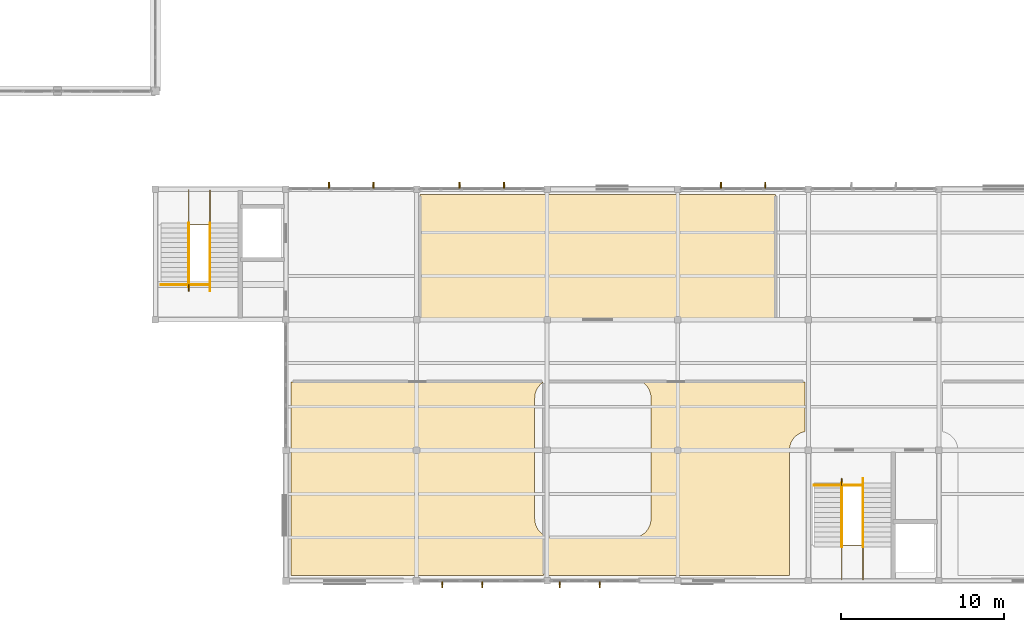
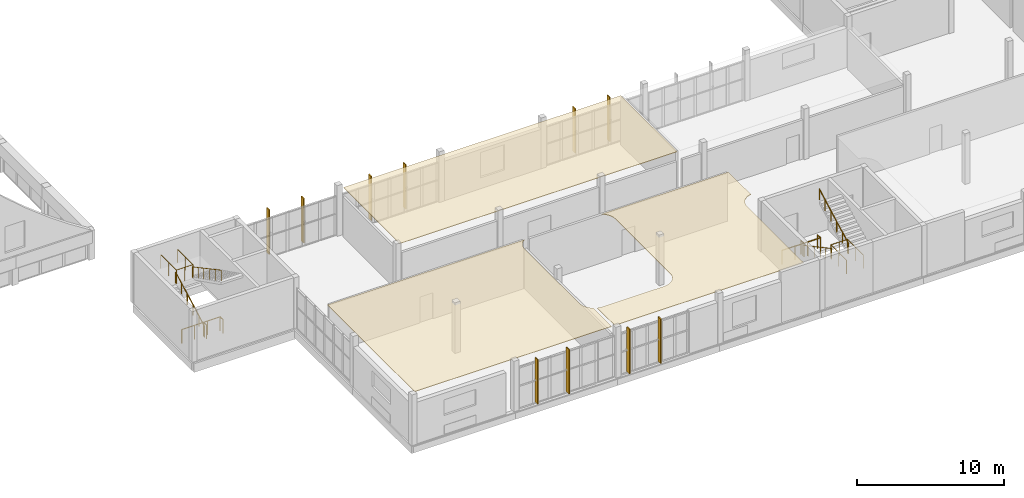
# One storey, part 43 of 45: 10 railings, 10 shading devices, 3 coverings.
"""IFC4 building model written with IfcOpenShell, lengths in metres."""

from ifc_helpers import new_model, si_unit, direction, frame, origin, origin_2d, place, context, subcontext, project, spatial, polyline, rectangle, circle, outline, extrude, material, layer, layer_set, type_object, element, save


model = new_model("IFC4")

# Units and contexts
model_context = context("Model", 3, precision=1e-05, world=origin(), true_north=direction((0.0, 1.0)))
body_context = subcontext(model_context, "Body", "Model", "MODEL_VIEW")
ifc_project = project(units=[si_unit("LENGTHUNIT", "METRE"), si_unit("AREAUNIT", "SQUARE_METRE"), si_unit("VOLUMEUNIT", "CUBIC_METRE"), si_unit("PLANEANGLEUNIT", "RADIAN"), si_unit("MASSUNIT", "GRAM", prefix="KILO")], contexts=[model_context])

# Site, building, storey
site_placement = place(None, origin())
site = spatial("IfcSite", under=ifc_project, at=site_placement, CompositionType="ELEMENT")
building_placement = place(site_placement, origin())
building = spatial("IfcBuilding", under=site, at=building_placement, Name="Solvane Community Centre", CompositionType="ELEMENT")
storey_placement = place(building_placement, frame((0.0, 0.0, 13.800048828125)))
storey = spatial("IfcBuildingStorey", under=building, at=storey_placement, Name="L03", CompositionType="ELEMENT", Elevation=13.800048828125)

# Coverings
ifc_material_1 = material(Name="Acoustic timber slat ceiling", Category="wood")
ifc_layer = layer(ifc_material_1, 0.0400390625)
ifc_layer_set = layer_set([ifc_layer], Name="Acoustic timber slat ceiling")
covering_type = type_object("IfcCoveringType", Name="Acoustic Timber Slat Suspended Ceiling", PredefinedType="CEILING", material=ifc_layer_set)
covering_1_placement = place(storey_placement, frame((0.0, 0.0, 3.954833984375)))
element("IfcCovering", 1, at=covering_1_placement, inside=storey, type_object=covering_type, Name="Acoustic Ceiling L03-02", PredefinedType="CEILING", context=body_context, shape_type="SweptSolid", body=[
    extrude(outline(polyline([(83.780029296875, 6.320068359375), (68.320068359375, 6.320068359375), (68.320068359375, 18.179931640625), (83.780029296875, 18.179931640625), (83.780029296875, 18.179443359375), (83.71533203125, 18.13623046875), (83.702880859375, 18.126953125), (83.626953125, 18.064697265625), (83.615234375, 18.05419921875), (83.5458984375, 17.984619140625), (83.535400390625, 17.97314453125), (83.47314453125, 17.897216796875), (83.4638671875, 17.884521484375), (83.4091796875, 17.802978515625), (83.401123046875, 17.78955078125), (83.35498046875, 17.702880859375), (83.34814453125, 17.688720703125), (83.310546875, 17.59814453125), (83.305419921875, 17.583251953125), (83.27685546875, 17.489501953125), (83.27294921875, 17.47412109375), (83.25390625, 17.3779296875), (83.251708984375, 17.3623046875), (83.241943359375, 17.264892578125), (83.2412109375, 17.2490234375), (83.239990234375, 17.199951171875), (83.239990234375, 9.800048828125), (83.2412109375, 9.7509765625), (83.241943359375, 9.735107421875), (83.251708984375, 9.6376953125), (83.25390625, 9.6220703125), (83.27294921875, 9.52587890625), (83.27685546875, 9.510498046875), (83.305419921875, 9.416748046875), (83.310546875, 9.40185546875), (83.34814453125, 9.311279296875), (83.35498046875, 9.297119140625), (83.401123046875, 9.21044921875), (83.4091796875, 9.197021484375), (83.4638671875, 9.115478515625), (83.47314453125, 9.102783203125), (83.535400390625, 9.02685546875), (83.5458984375, 9.015380859375), (83.615234375, 8.94580078125), (83.626953125, 8.935302734375), (83.702880859375, 8.873046875), (83.71533203125, 8.86376953125), (83.780029296875, 8.820556640625), (83.780029296875, 6.320068359375)])), origin(), (0.0, 0.0, 1.0), 0.0400390625),
])
covering_2_placement = place(storey_placement, frame((0.0, 0.0, 3.954833984375)))
element("IfcCovering", 2, at=covering_2_placement, inside=storey, type_object=covering_type, Name="Acoustic Ceiling L03-03", PredefinedType="CEILING", context=body_context, shape_type="SweptSolid", body=[
    extrude(outline(polyline([(99.780029296875, 18.179931640625), (99.780029296875, 15.1376953125), (99.725830078125, 15.126953125), (99.710693359375, 15.123046875), (99.61669921875, 15.0947265625), (99.601806640625, 15.08935546875), (99.51123046875, 15.0517578125), (99.4970703125, 15.045166015625), (99.410400390625, 14.998779296875), (99.39697265625, 14.99072265625), (99.3154296875, 14.936279296875), (99.302734375, 14.927001953125), (99.226806640625, 14.864501953125), (99.21533203125, 14.85400390625), (99.14599609375, 14.78466796875), (99.135498046875, 14.773193359375), (99.072998046875, 14.697265625), (99.063720703125, 14.6845703125), (99.00927734375, 14.60302734375), (99.001220703125, 14.589599609375), (98.954833984375, 14.5029296875), (98.9482421875, 14.48876953125), (98.91064453125, 14.398193359375), (98.9052734375, 14.38330078125), (98.876953125, 14.289306640625), (98.873046875, 14.274169921875), (98.85400390625, 14.177978515625), (98.8515625, 14.162353515625), (98.842041015625, 14.064697265625), (98.84130859375, 14.049072265625), (98.840087890625, 14.0), (98.840087890625, 6.320068359375), (84.02001953125, 6.320068359375), (84.02001953125, 8.704345703125), (84.110595703125, 8.677001953125), (84.125732421875, 8.673095703125), (84.22216796875, 8.65380859375), (84.237548828125, 8.651611328125), (84.335205078125, 8.64208984375), (84.350830078125, 8.64111328125), (84.39990234375, 8.639892578125), (89.199951171875, 8.639892578125), (89.2490234375, 8.64111328125), (89.264892578125, 8.64208984375), (89.3623046875, 8.651611328125), (89.3779296875, 8.65380859375), (89.47412109375, 8.673095703125), (89.489501953125, 8.677001953125), (89.583251953125, 8.705322265625), (89.59814453125, 8.710693359375), (89.688720703125, 8.748291015625), (89.702880859375, 8.7548828125), (89.78955078125, 8.80126953125), (89.802978515625, 8.80908203125), (89.884521484375, 8.86376953125), (89.897216796875, 8.873046875), (89.97314453125, 8.935302734375), (89.984619140625, 8.94580078125), (90.05419921875, 9.015380859375), (90.064697265625, 9.02685546875), (90.126953125, 9.102783203125), (90.13623046875, 9.115478515625), (90.19091796875, 9.197021484375), (90.19873046875, 9.21044921875), (90.2451171875, 9.297119140625), (90.251708984375, 9.311279296875), (90.289306640625, 9.40185546875), (90.294677734375, 9.416748046875), (90.322998046875, 9.510498046875), (90.326904296875, 9.52587890625), (90.34619140625, 9.6220703125), (90.348388671875, 9.6376953125), (90.35791015625, 9.735107421875), (90.35888671875, 9.7509765625), (90.360107421875, 9.800048828125), (90.360107421875, 17.199951171875), (90.35888671875, 17.2490234375), (90.35791015625, 17.264892578125), (90.348388671875, 17.3623046875), (90.34619140625, 17.3779296875), (90.326904296875, 17.47412109375), (90.322998046875, 17.489501953125), (90.294677734375, 17.583251953125), (90.289306640625, 17.59814453125), (90.251708984375, 17.688720703125), (90.2451171875, 17.702880859375), (90.19873046875, 17.78955078125), (90.19091796875, 17.802978515625), (90.13623046875, 17.884521484375), (90.126953125, 17.897216796875), (90.064697265625, 17.97314453125), (90.05419921875, 17.984619140625), (89.984619140625, 18.05419921875), (89.97314453125, 18.064697265625), (89.897216796875, 18.126953125), (89.884521484375, 18.13623046875), (89.819091796875, 18.179931640625), (99.780029296875, 18.179931640625)])), origin(), (0.0, 0.0, 1.0), 0.0400390625),
])
covering_3_placement = place(storey_placement, frame((0.0, 0.0, 3.954833984375)))
element("IfcCovering", 3, at=covering_3_placement, inside=storey, type_object=covering_type, Name="Acoustic Ceiling L03-06", PredefinedType="CEILING", context=body_context, shape_type="SweptSolid", body=[
    extrude(outline(polyline([(76.219970703125, 22.02001953125), (76.219970703125, 29.679931640625), (97.97998046875, 29.679931640625), (97.97998046875, 22.02001953125), (76.219970703125, 22.02001953125)])), origin(), (0.0, 0.0, 1.0), 0.0400390625),
])

# Shading devices
ifc_material_2 = material(Name="Anodised bronze aluminium AW-6063 T6", Category="aluminium")
shading_device_type = type_object("IfcShadingDeviceType", Name="Art Deco Bronze Solar Fin 80x360", PredefinedType="USERDEFINED", material=ifc_material_2)
shading_device_1_placement = place(storey_placement, frame((87.22412109375, 5.760009765625, 0.14990234375), z_axis=(0.0, 0.0, 1.0), x_axis=(-1.0, 0.0, 0.0)))
element("IfcShadingDevice", 4, at=shading_device_1_placement, inside=storey, type_object=shading_device_type, Name="Solar Brise-Soleil Fin 103", ObjectType="Solar Brise-Soleil Fin 103", PredefinedType="USERDEFINED", context=body_context, shape_type="SweptSolid", body=[
    extrude(rectangle(XDim=0.080078125, YDim=0.360107421875, at=origin_2d()), origin(), (0.0, 0.0, 1.0), 3.679931640625),
])
shading_device_2_placement = place(storey_placement, frame((84.77587890625, 5.760009765625, 0.14990234375), z_axis=(0.0, 0.0, 1.0), x_axis=(-1.0, 0.0, 0.0)))
element("IfcShadingDevice", 5, at=shading_device_2_placement, inside=storey, type_object=shading_device_type, Name="Solar Brise-Soleil Fin 104", ObjectType="Solar Brise-Soleil Fin 104", PredefinedType="USERDEFINED", context=body_context, shape_type="SweptSolid", body=[
    extrude(rectangle(XDim=0.080078125, YDim=0.360107421875, at=origin_2d()), origin(), (0.0, 0.0, 1.0), 3.679931640625),
])
shading_device_3_placement = place(storey_placement, frame((80.02392578125, 5.760009765625, 0.14990234375), z_axis=(0.0, 0.0, 1.0), x_axis=(-1.0, 0.0, 0.0)))
element("IfcShadingDevice", 6, at=shading_device_3_placement, inside=storey, type_object=shading_device_type, Name="Solar Brise-Soleil Fin 105", ObjectType="Solar Brise-Soleil Fin 105", PredefinedType="USERDEFINED", context=body_context, shape_type="SweptSolid", body=[
    extrude(rectangle(XDim=0.080078125, YDim=0.360107421875, at=origin_2d()), origin(), (0.0, 0.0, 1.0), 3.679931640625),
])
shading_device_4_placement = place(storey_placement, frame((77.575927734375, 5.760009765625, 0.14990234375), z_axis=(0.0, 0.0, 1.0), x_axis=(-1.0, 0.0, 0.0)))
element("IfcShadingDevice", 7, at=shading_device_4_placement, inside=storey, type_object=shading_device_type, Name="Solar Brise-Soleil Fin 106", ObjectType="Solar Brise-Soleil Fin 106", PredefinedType="USERDEFINED", context=body_context, shape_type="SweptSolid", body=[
    extrude(rectangle(XDim=0.080078125, YDim=0.360107421875, at=origin_2d()), origin(), (0.0, 0.0, 1.0), 3.679931640625),
])
shading_device_5_placement = place(storey_placement, frame((70.639892578125, 30.239990234375, 0.14990234375), z_axis=(0.0, 0.0, 1.0), x_axis=(1.0, 0.0, 0.0)))
element("IfcShadingDevice", 8, at=shading_device_5_placement, inside=storey, type_object=shading_device_type, Name="Solar Brise-Soleil Fin 107", ObjectType="Solar Brise-Soleil Fin 107", PredefinedType="USERDEFINED", context=body_context, shape_type="SweptSolid", body=[
    extrude(rectangle(XDim=0.080078125, YDim=0.360107421875, at=origin_2d()), origin(), (0.0, 0.0, 1.0), 3.679931640625),
])
shading_device_6_placement = place(storey_placement, frame((73.360107421875, 30.239990234375, 0.14990234375), z_axis=(0.0, 0.0, 1.0), x_axis=(1.0, 0.0, 0.0)))
element("IfcShadingDevice", 9, at=shading_device_6_placement, inside=storey, type_object=shading_device_type, Name="Solar Brise-Soleil Fin 108", ObjectType="Solar Brise-Soleil Fin 108", PredefinedType="USERDEFINED", context=body_context, shape_type="SweptSolid", body=[
    extrude(rectangle(XDim=0.080078125, YDim=0.360107421875, at=origin_2d()), origin(), (0.0, 0.0, 1.0), 3.679931640625),
])
shading_device_7_placement = place(storey_placement, frame((78.639892578125, 30.239990234375, 0.14990234375), z_axis=(0.0, 0.0, 1.0), x_axis=(1.0, 0.0, 0.0)))
element("IfcShadingDevice", 10, at=shading_device_7_placement, inside=storey, type_object=shading_device_type, Name="Solar Brise-Soleil Fin 109", ObjectType="Solar Brise-Soleil Fin 109", PredefinedType="USERDEFINED", context=body_context, shape_type="SweptSolid", body=[
    extrude(rectangle(XDim=0.080078125, YDim=0.360107421875, at=origin_2d()), origin(), (0.0, 0.0, 1.0), 3.679931640625),
])
shading_device_8_placement = place(storey_placement, frame((81.360107421875, 30.239990234375, 0.14990234375), z_axis=(0.0, 0.0, 1.0), x_axis=(1.0, 0.0, 0.0)))
element("IfcShadingDevice", 11, at=shading_device_8_placement, inside=storey, type_object=shading_device_type, Name="Solar Brise-Soleil Fin 110", ObjectType="Solar Brise-Soleil Fin 110", PredefinedType="USERDEFINED", context=body_context, shape_type="SweptSolid", body=[
    extrude(rectangle(XDim=0.080078125, YDim=0.360107421875, at=origin_2d()), origin(), (0.0, 0.0, 1.0), 3.679931640625),
])
shading_device_9_placement = place(storey_placement, frame((94.639892578125, 30.239990234375, 0.14990234375), z_axis=(0.0, 0.0, 1.0), x_axis=(1.0, 0.0, 0.0)))
element("IfcShadingDevice", 12, at=shading_device_9_placement, inside=storey, type_object=shading_device_type, Name="Solar Brise-Soleil Fin 111", ObjectType="Solar Brise-Soleil Fin 111", PredefinedType="USERDEFINED", context=body_context, shape_type="SweptSolid", body=[
    extrude(rectangle(XDim=0.080078125, YDim=0.360107421875, at=origin_2d()), origin(), (0.0, 0.0, 1.0), 3.679931640625),
])
shading_device_10_placement = place(storey_placement, frame((97.360107421875, 30.239990234375, 0.14990234375), z_axis=(0.0, 0.0, 1.0), x_axis=(1.0, 0.0, 0.0)))
element("IfcShadingDevice", 13, at=shading_device_10_placement, inside=storey, type_object=shading_device_type, Name="Solar Brise-Soleil Fin 112", ObjectType="Solar Brise-Soleil Fin 112", PredefinedType="USERDEFINED", context=body_context, shape_type="SweptSolid", body=[
    extrude(rectangle(XDim=0.080078125, YDim=0.360107421875, at=origin_2d()), origin(), (0.0, 0.0, 1.0), 3.679931640625),
])

# Railings
railing_type_1 = type_object("IfcRailingType", Name="Interior Gallery & Stair Well Guard 1150mm", PredefinedType="BALUSTRADE", material=ifc_material_2)
railing_1_placement = place(storey_placement, frame((62.050048828125, 29.93994140625, 2.099853515625)))
element("IfcRailing", 14, at=railing_1_placement, inside=storey, type_object=railing_type_1, Name="Railing GR-L03-016", PredefinedType="BALUSTRADE", context=body_context, shape_type="SweptSolid", body=[
    extrude(circle(Radius=0.02392578125, at=origin_2d()), frame((0.0, 0.0, 1.1259765625), z_axis=(0.0, -1.0, 0.0), x_axis=(1.0, 0.0, 0.0)), (0.0, 0.0, 1.0), 2.119873046875),
    extrude(circle(Radius=0.02392578125, at=origin_2d()), frame((0.0, -2.119873046875, 1.1259765625), z_axis=(1.0, 0.0, 0.0), x_axis=(0.0, 1.0, 0.0)), (0.0, 0.0, 1.0), 1.300048828125),
    extrude(circle(Radius=0.02392578125, at=origin_2d()), frame((1.300048828125, -2.119873046875, 1.1259765625), z_axis=(0.0, 1.0, 0.0), x_axis=(-1.0, 0.0, 0.0)), (0.0, 0.0, 1.0), 2.119873046875),
    extrude(circle(Radius=0.02099609375, at=origin_2d()), origin(), (0.0, 0.0, 1.0), 1.101806640625),
    extrude(circle(Radius=0.02099609375, at=origin_2d()), frame((0.0, -1.06005859375, 0.0)), (0.0, 0.0, 1.0), 1.101806640625),
    extrude(circle(Radius=0.02099609375, at=origin_2d()), frame((0.0, -2.119873046875, 0.0)), (0.0, 0.0, 1.0), 1.101806640625),
    extrude(circle(Radius=0.02099609375, at=origin_2d()), frame((0.64990234375, -2.119873046875, 0.0)), (0.0, 0.0, 1.0), 1.101806640625),
    extrude(circle(Radius=0.02099609375, at=origin_2d()), frame((1.300048828125, -2.119873046875, 0.0)), (0.0, 0.0, 1.0), 1.101806640625),
    extrude(circle(Radius=0.02099609375, at=origin_2d()), frame((1.300048828125, -1.06005859375, 0.0)), (0.0, 0.0, 1.0), 1.101806640625),
    extrude(circle(Radius=0.02099609375, at=origin_2d()), frame((1.300048828125, 0.0, 0.0)), (0.0, 0.0, 1.0), 1.101806640625),
])
railing_2_placement = place(storey_placement, frame((60.340087890625, 24.139892578125, 0.0)))
element("IfcRailing", 15, at=railing_2_placement, inside=storey, type_object=railing_type_1, Name="Railing GR-L03-017", PredefinedType="BALUSTRADE", context=body_context, shape_type="SweptSolid", body=[
    extrude(circle(Radius=0.02392578125, at=origin_2d()), frame((0.0, 0.0, 1.1259765625), z_axis=(1.0, 0.0, 0.0), x_axis=(0.0, 1.0, 0.0)), (0.0, 0.0, 1.0), 3.010009765625),
    extrude(circle(Radius=0.02392578125, at=origin_2d()), frame((3.010009765625, 0.0, 1.1259765625), z_axis=(0.0, -1.0, 0.0), x_axis=(1.0, 0.0, 0.0)), (0.0, 0.0, 1.0), 0.389892578125),
    extrude(circle(Radius=0.02099609375, at=origin_2d()), origin(), (0.0, 0.0, 1.0), 1.101806640625),
    extrude(circle(Radius=0.02099609375, at=origin_2d()), frame((1.00341796875, 0.0, 0.0)), (0.0, 0.0, 1.0), 1.101806640625),
    extrude(circle(Radius=0.02099609375, at=origin_2d()), frame((2.006591796875, 0.0, 0.0)), (0.0, 0.0, 1.0), 1.101806640625),
    extrude(circle(Radius=0.02099609375, at=origin_2d()), frame((3.010009765625, 0.0, 0.0)), (0.0, 0.0, 1.0), 1.101806640625),
    extrude(circle(Radius=0.02099609375, at=origin_2d()), frame((3.010009765625, -0.389892578125, 0.0)), (0.0, 0.0, 1.0), 1.101806640625),
])
railing_3_placement = place(storey_placement, frame((62.050048828125, 23.75, 0.0)))
element("IfcRailing", 16, at=railing_3_placement, inside=storey, type_object=railing_type_1, Name="Railing GR-L03-018", PredefinedType="BALUSTRADE", context=body_context, shape_type="SweptSolid", body=[
    extrude(circle(Radius=0.02392578125, at=origin_2d()), frame((0.0, 0.0, 1.1259765625), z_axis=(0.0, 1.0, 0.0), x_axis=(-1.0, 0.0, 0.0)), (0.0, 0.0, 1.0), 0.389892578125),
    extrude(circle(Radius=0.02099609375, at=origin_2d()), origin(), (0.0, 0.0, 1.0), 1.101806640625),
    extrude(circle(Radius=0.02099609375, at=origin_2d()), frame((0.0, 0.389892578125, 0.0)), (0.0, 0.0, 1.0), 1.101806640625),
])
railing_4_placement = place(storey_placement, frame((102.050048828125, 6.06005859375, 2.099853515625)))
element("IfcRailing", 17, at=railing_4_placement, inside=storey, type_object=railing_type_1, Name="Railing GR-L03-035", PredefinedType="BALUSTRADE", context=body_context, shape_type="SweptSolid", body=[
    extrude(circle(Radius=0.02392578125, at=origin_2d()), frame((0.0, 0.0, 1.1259765625), z_axis=(0.0, 1.0, 0.0), x_axis=(-1.0, 0.0, 0.0)), (0.0, 0.0, 1.0), 2.119873046875),
    extrude(circle(Radius=0.02392578125, at=origin_2d()), frame((0.0, 2.119873046875, 1.1259765625), z_axis=(1.0, 0.0, 0.0), x_axis=(0.0, 1.0, 0.0)), (0.0, 0.0, 1.0), 1.300048828125),
    extrude(circle(Radius=0.02392578125, at=origin_2d()), frame((1.300048828125, 2.119873046875, 1.1259765625), z_axis=(0.0, -1.0, 0.0), x_axis=(1.0, 0.0, 0.0)), (0.0, 0.0, 1.0), 2.119873046875),
    extrude(circle(Radius=0.02099609375, at=origin_2d()), origin(), (0.0, 0.0, 1.0), 1.101806640625),
    extrude(circle(Radius=0.02099609375, at=origin_2d()), frame((0.0, 1.06005859375, 0.0)), (0.0, 0.0, 1.0), 1.101806640625),
    extrude(circle(Radius=0.02099609375, at=origin_2d()), frame((0.0, 2.119873046875, 0.0)), (0.0, 0.0, 1.0), 1.101806640625),
    extrude(circle(Radius=0.02099609375, at=origin_2d()), frame((0.64990234375, 2.119873046875, 0.0)), (0.0, 0.0, 1.0), 1.101806640625),
    extrude(circle(Radius=0.02099609375, at=origin_2d()), frame((1.300048828125, 2.119873046875, 0.0)), (0.0, 0.0, 1.0), 1.101806640625),
    extrude(circle(Radius=0.02099609375, at=origin_2d()), frame((1.300048828125, 1.06005859375, 0.0)), (0.0, 0.0, 1.0), 1.101806640625),
    extrude(circle(Radius=0.02099609375, at=origin_2d()), frame((1.300048828125, 0.0, 0.0)), (0.0, 0.0, 1.0), 1.101806640625),
])
railing_5_placement = place(storey_placement, frame((100.340087890625, 11.860107421875, 0.0)))
element("IfcRailing", 18, at=railing_5_placement, inside=storey, type_object=railing_type_1, Name="Railing GR-L03-036", PredefinedType="BALUSTRADE", context=body_context, shape_type="SweptSolid", body=[
    extrude(circle(Radius=0.02392578125, at=origin_2d()), frame((0.0, 0.0, 1.1259765625), z_axis=(1.0, 0.0, 0.0), x_axis=(0.0, 1.0, 0.0)), (0.0, 0.0, 1.0), 3.010009765625),
    extrude(circle(Radius=0.02392578125, at=origin_2d()), frame((3.010009765625, 0.0, 1.1259765625), z_axis=(0.0, 1.0, 0.0), x_axis=(-1.0, 0.0, 0.0)), (0.0, 0.0, 1.0), 0.389892578125),
    extrude(circle(Radius=0.02099609375, at=origin_2d()), origin(), (0.0, 0.0, 1.0), 1.101806640625),
    extrude(circle(Radius=0.02099609375, at=origin_2d()), frame((1.00341796875, 0.0, 0.0)), (0.0, 0.0, 1.0), 1.101806640625),
    extrude(circle(Radius=0.02099609375, at=origin_2d()), frame((2.006591796875, 0.0, 0.0)), (0.0, 0.0, 1.0), 1.101806640625),
    extrude(circle(Radius=0.02099609375, at=origin_2d()), frame((3.010009765625, 0.0, 0.0)), (0.0, 0.0, 1.0), 1.101806640625),
    extrude(circle(Radius=0.02099609375, at=origin_2d()), frame((3.010009765625, 0.389892578125, 0.0)), (0.0, 0.0, 1.0), 1.101806640625),
])
railing_6_placement = place(storey_placement, frame((102.050048828125, 12.25, 0.0)))
element("IfcRailing", 19, at=railing_6_placement, inside=storey, type_object=railing_type_1, Name="Railing GR-L03-037", PredefinedType="BALUSTRADE", context=body_context, shape_type="SweptSolid", body=[
    extrude(circle(Radius=0.02392578125, at=origin_2d()), frame((0.0, 0.0, 1.1259765625), z_axis=(0.0, -1.0, 0.0), x_axis=(1.0, 0.0, 0.0)), (0.0, 0.0, 1.0), 0.389892578125),
    extrude(circle(Radius=0.02099609375, at=origin_2d()), origin(), (0.0, 0.0, 1.0), 1.101806640625),
    extrude(circle(Radius=0.02099609375, at=origin_2d()), frame((0.0, -0.389892578125, 0.0)), (0.0, 0.0, 1.0), 1.101806640625),
])
railing_type_2 = type_object("IfcRailingType", Name="Stair Pitch Handrail 900mm", PredefinedType="HANDRAIL", material=ifc_material_2)
railing_7_placement = place(storey_placement, frame((62.050048828125, 24.0, 0.0)))
element("IfcRailing", 20, at=railing_7_placement, inside=storey, type_object=railing_type_2, Name="Railing HR-L03-014", PredefinedType="HANDRAIL", context=body_context, shape_type="SweptSolid", body=[
    extrude(circle(Radius=0.02392578125, at=origin_2d()), frame((0.0, 0.0, 0.8759765625), z_axis=(0.0, 0.881489763865, 0.472203130232), x_axis=(-1.0, 0.0, 0.0)), (0.0, 0.0, 1.0), 4.447021484375),
    extrude(circle(Radius=0.02099609375, at=origin_2d()), origin(), (0.0, 0.0, 1.0), 0.851806640625),
    extrude(circle(Radius=0.02099609375, at=origin_2d()), frame((0.0, 0.783935546875, 0.419921875)), (0.0, 0.0, 1.0), 0.851806640625),
    extrude(circle(Radius=0.02099609375, at=origin_2d()), frame((0.0, 1.56787109375, 0.83984375)), (0.0, 0.0, 1.0), 0.851806640625),
    extrude(circle(Radius=0.02099609375, at=origin_2d()), frame((0.0, 2.35205078125, 1.260009765625)), (0.0, 0.0, 1.0), 0.851806640625),
    extrude(circle(Radius=0.02099609375, at=origin_2d()), frame((0.0, 3.135986328125, 1.679931640625)), (0.0, 0.0, 1.0), 0.851806640625),
    extrude(circle(Radius=0.02099609375, at=origin_2d()), frame((0.0, 3.919921875, 2.099853515625)), (0.0, 0.0, 1.0), 0.851806640625),
])
railing_8_placement = place(storey_placement, frame((63.35009765625, 27.919921875, 2.099853515625)))
element("IfcRailing", 21, at=railing_8_placement, inside=storey, type_object=railing_type_2, Name="Railing HR-L03-015", PredefinedType="HANDRAIL", context=body_context, shape_type="SweptSolid", body=[
    extrude(circle(Radius=0.02392578125, at=origin_2d()), frame((0.0, 0.0, 0.8759765625), z_axis=(0.0, -0.881466911329, 0.472245787945), x_axis=(1.0, 0.0, 0.0)), (0.0, 0.0, 1.0), 4.447021484375),
    extrude(circle(Radius=0.02099609375, at=origin_2d()), origin(), (0.0, 0.0, 1.0), 0.851806640625),
    extrude(circle(Radius=0.02099609375, at=origin_2d()), frame((0.0, -0.783935546875, 0.419921875)), (0.0, 0.0, 1.0), 0.851806640625),
    extrude(circle(Radius=0.02099609375, at=origin_2d()), frame((0.0, -1.56787109375, 0.840087890625)), (0.0, 0.0, 1.0), 0.851806640625),
    extrude(circle(Radius=0.02099609375, at=origin_2d()), frame((0.0, -2.35205078125, 1.260009765625)), (0.0, 0.0, 1.0), 0.851806640625),
    extrude(circle(Radius=0.02099609375, at=origin_2d()), frame((0.0, -3.135986328125, 1.68017578125)), (0.0, 0.0, 1.0), 0.851806640625),
    extrude(circle(Radius=0.02099609375, at=origin_2d()), frame((0.0, -3.919921875, 2.10009765625)), (0.0, 0.0, 1.0), 0.851806640625),
])
railing_9_placement = place(storey_placement, frame((102.050048828125, 12.0, 0.0)))
element("IfcRailing", 22, at=railing_9_placement, inside=storey, type_object=railing_type_2, Name="Railing HR-L03-033", PredefinedType="HANDRAIL", context=body_context, shape_type="SweptSolid", body=[
    extrude(circle(Radius=0.02392578125, at=origin_2d()), frame((0.0, 0.0, 0.8759765625), z_axis=(0.0, -0.881489763865, 0.472203130232), x_axis=(1.0, 0.0, 0.0)), (0.0, 0.0, 1.0), 4.447021484375),
    extrude(circle(Radius=0.02099609375, at=origin_2d()), origin(), (0.0, 0.0, 1.0), 0.851806640625),
    extrude(circle(Radius=0.02099609375, at=origin_2d()), frame((0.0, -0.783935546875, 0.419921875)), (0.0, 0.0, 1.0), 0.851806640625),
    extrude(circle(Radius=0.02099609375, at=origin_2d()), frame((0.0, -1.56787109375, 0.83984375)), (0.0, 0.0, 1.0), 0.851806640625),
    extrude(circle(Radius=0.02099609375, at=origin_2d()), frame((0.0, -2.35205078125, 1.260009765625)), (0.0, 0.0, 1.0), 0.851806640625),
    extrude(circle(Radius=0.02099609375, at=origin_2d()), frame((0.0, -3.135986328125, 1.679931640625)), (0.0, 0.0, 1.0), 0.851806640625),
    extrude(circle(Radius=0.02099609375, at=origin_2d()), frame((0.0, -3.919921875, 2.099853515625)), (0.0, 0.0, 1.0), 0.851806640625),
])
railing_10_placement = place(storey_placement, frame((103.35009765625, 8.080078125, 2.099853515625)))
element("IfcRailing", 23, at=railing_10_placement, inside=storey, type_object=railing_type_2, Name="Railing HR-L03-034", PredefinedType="HANDRAIL", context=body_context, shape_type="SweptSolid", body=[
    extrude(circle(Radius=0.02392578125, at=origin_2d()), frame((0.0, 0.0, 0.8759765625), z_axis=(0.0, 0.881466911329, 0.472245787945), x_axis=(-1.0, 0.0, 0.0)), (0.0, 0.0, 1.0), 4.447021484375),
    extrude(circle(Radius=0.02099609375, at=origin_2d()), origin(), (0.0, 0.0, 1.0), 0.851806640625),
    extrude(circle(Radius=0.02099609375, at=origin_2d()), frame((0.0, 0.783935546875, 0.419921875)), (0.0, 0.0, 1.0), 0.851806640625),
    extrude(circle(Radius=0.02099609375, at=origin_2d()), frame((0.0, 1.56787109375, 0.840087890625)), (0.0, 0.0, 1.0), 0.851806640625),
    extrude(circle(Radius=0.02099609375, at=origin_2d()), frame((0.0, 2.35205078125, 1.260009765625)), (0.0, 0.0, 1.0), 0.851806640625),
    extrude(circle(Radius=0.02099609375, at=origin_2d()), frame((0.0, 3.135986328125, 1.68017578125)), (0.0, 0.0, 1.0), 0.851806640625),
    extrude(circle(Radius=0.02099609375, at=origin_2d()), frame((0.0, 3.919921875, 2.10009765625)), (0.0, 0.0, 1.0), 0.851806640625),
])

save(model, "model.ifc")
